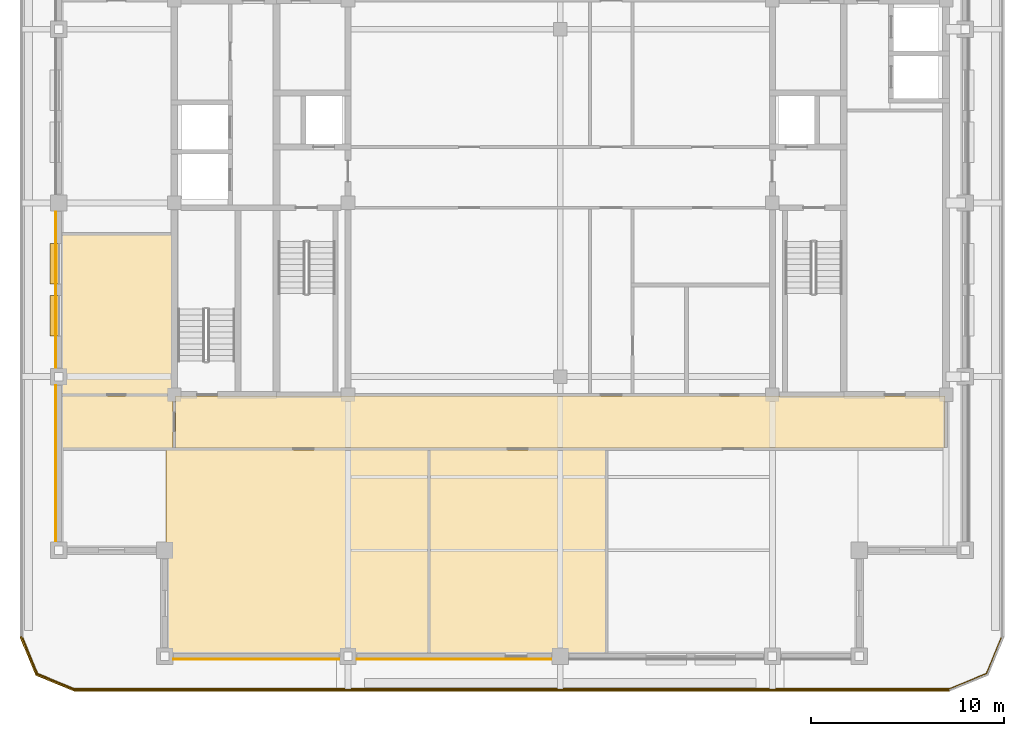
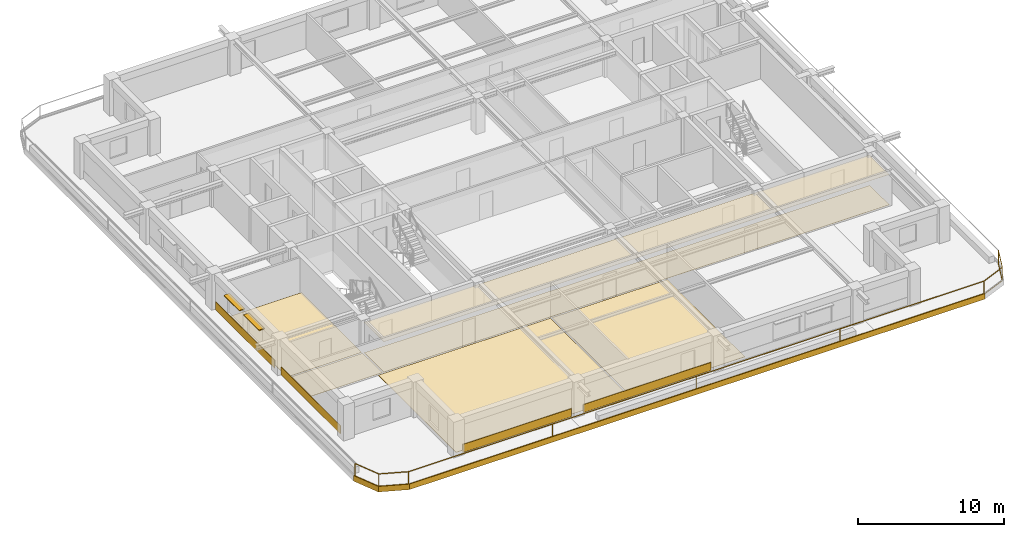
# One storey, part 7 of 11: 13 coverings, 2 shading devices, 1 railing.
"""IFC4 building model written with IfcOpenShell, lengths in metres."""

from ifc_helpers import new_model, si_unit, direction, frame, frame_2d, origin, origin_2d, place, context, subcontext, project, spatial, polyline, rectangle, outline, extrude, material, layer, layer_set, type_object, element, save


model = new_model("IFC4")

# Units and contexts
model_context = context("Model", 3, precision=1e-05, world=origin(), true_north=direction((0.0, 1.0)))
body_context = subcontext(model_context, "Body", "Model", "MODEL_VIEW")
ifc_project = project(units=[si_unit("LENGTHUNIT", "METRE"), si_unit("AREAUNIT", "SQUARE_METRE"), si_unit("VOLUMEUNIT", "CUBIC_METRE"), si_unit("PLANEANGLEUNIT", "RADIAN"), si_unit("MASSUNIT", "GRAM", prefix="KILO")], contexts=[model_context])

# Site, building, storey
site_placement = place(None, origin())
site = spatial("IfcSite", under=ifc_project, at=site_placement, CompositionType="ELEMENT")
building_placement = place(site_placement, origin())
building = spatial("IfcBuilding", under=site, at=building_placement, Name="Zulmaris Gate Convention Tower", CompositionType="ELEMENT")
storey_placement = place(building_placement, frame((0.0, 0.0, 264.119873046875)))
storey = spatial("IfcBuildingStorey", under=building, at=storey_placement, Name="L70", CompositionType="ELEMENT", Elevation=264.119873046875)

# Coverings
ifc_material_1 = material(Name="Precast concrete C40/50", Category="concrete")
ifc_layer_1 = layer(ifc_material_1, 0.0400390625, Name="Precast concrete C40/50")
ifc_layer_set_1 = layer_set([ifc_layer_1], Name="Precast concrete C40/50")
covering_type_1 = type_object("IfcCoveringType", Name="CLAD-SPANDREL-PRECAST", PredefinedType="CLADDING", material=ifc_layer_set_1)
covering_1_placement = place(storey_placement, frame((-20.044921875, -23.64990234375, 0.0), z_axis=(0.0, 0.0, 1.0), x_axis=(1.0, 0.0, 0.0)))
element("IfcCovering", 1, at=covering_1_placement, inside=storey, type_object=covering_type_1, Name="CLD-L70-S-0_0", PredefinedType="CLADDING", context=body_context, shape_type="SweptSolid", body=[
    extrude(rectangle(XDim=8.58984375, YDim=0.0400390625, at=frame_2d((4.294921875, 0.0))), origin(), (0.0, 0.0, 1.0), 0.679931640625),
])
covering_2_placement = place(storey_placement, frame((-10.544921875, -23.64990234375, 0.0), z_axis=(0.0, 0.0, 1.0), x_axis=(1.0, 0.0, 0.0)))
element("IfcCovering", 2, at=covering_2_placement, inside=storey, type_object=covering_type_1, Name="CLD-L70-S-1_0", PredefinedType="CLADDING", context=body_context, shape_type="SweptSolid", body=[
    extrude(rectangle(XDim=10.08984375, YDim=0.0400390625, at=frame_2d((5.044921875, 0.0))), origin(), (0.0, 0.0, 1.0), 0.679931640625),
])
for number, where, z_axis, x_axis, name in (
    (3, (-26.14990234375, -9.455078125, 0.0), (0.0, 0.0, 1.0), (0.0, -1.0, 0.0), "CLD-L70-W-0_0"),
    (4, (-26.14990234375, -0.455078125, 0.0), (0.0, 0.0, 1.0), (0.0, -1.0, 0.0), "CLD-L70-W-1_0"),
):
    element("IfcCovering", number, at=place(storey_placement, frame(where, z_axis=z_axis, x_axis=x_axis)), inside=storey, type_object=covering_type_1, Name=name, PredefinedType="CLADDING", context=body_context, shape_type="SweptSolid", body=[
        extrude(rectangle(XDim=8.08984375, YDim=0.0400390625, at=frame_2d((4.044921875, 0.0))), origin(), (0.0, 0.0, 1.0), 0.679931640625),
    ])
ifc_material_2 = material(Name="White Glazed Architectural Precast Concrete C40/50", Category="concrete")
ifc_layer_2 = layer(ifc_material_2, 0.080078125, Name="White Glazed Architectural Precast Concrete C40/50")
ifc_layer_set_2 = layer_set([ifc_layer_2], Name="White Glazed Architectural Precast Concrete C40/50")
covering_type_2 = type_object("IfcCoveringType", Name="CLAD-TRAY-FASCIA", PredefinedType="CLADDING", material=ifc_layer_set_2)
covering_3_placement = place(storey_placement, frame((-27.962890625, -22.484619140625, -0.2900390625), z_axis=(0.0, 0.0, 1.0), x_axis=(0.382656984709, -0.923890487046, 0.0)))
element("IfcCovering", 5, at=covering_3_placement, inside=storey, type_object=covering_type_2, Name="FSC-L70-TR-00", PredefinedType="CLADDING", context=body_context, shape_type="SweptSolid", body=[
    extrude(rectangle(XDim=2.14306640625, YDim=0.080078125, at=frame_2d((1.071533203125, 0.0))), origin(), (0.0, 0.0, 1.0), 0.4599609375),
])
covering_4_placement = place(storey_placement, frame((-27.16455078125, -24.44287109375, -0.2900390625), z_axis=(0.0, 0.0, 1.0), x_axis=(0.923873803533, -0.382697263049, 0.0)))
element("IfcCovering", 6, at=covering_4_placement, inside=storey, type_object=covering_type_2, Name="FSC-L70-TR-01", PredefinedType="CLADDING", context=body_context, shape_type="SweptSolid", body=[
    extrude(rectangle(XDim=2.142822265625, YDim=0.080078125, at=frame_2d((1.0712890625, 0.0))), origin(), (0.0, 0.0, 1.0), 0.4599609375),
])
covering_5_placement = place(storey_placement, frame((-25.199951171875, -25.260009765625, -0.2900390625), z_axis=(0.0, 0.0, 1.0), x_axis=(1.0, 0.0, 0.0)))
element("IfcCovering", 7, at=covering_5_placement, inside=storey, type_object=covering_type_2, Name="FSC-L70-TR-02", PredefinedType="CLADDING", context=body_context, shape_type="SweptSolid", body=[
    extrude(rectangle(XDim=45.39990234375, YDim=0.080078125, at=frame_2d((22.699951171875, 0.0))), origin(), (0.0, 0.0, 1.0), 0.4599609375),
])
ifc_material_3 = material(Name="Mineral Fibre Acoustic Ceiling Tile")
ifc_layer_3 = layer(ifc_material_3, 0.02001953125, Name="Mineral Fibre Acoustic Ceiling Tile")
ifc_layer_set_3 = layer_set([ifc_layer_3], Name="Mineral Fibre Acoustic Ceiling Tile")
covering_type_3 = type_object("IfcCoveringType", Name="CLG-ACOUSTIC-600", PredefinedType="CEILING", material=ifc_layer_set_3)
covering_6_placement = place(storey_placement, frame((0.0, 0.0, 2.538330078125)))
element("IfcCovering", 8, at=covering_6_placement, inside=storey, type_object=covering_type_3, Name="CLG-L70-R26", PredefinedType="CEILING", context=body_context, shape_type="SweptSolid", body=[
    extrude(outline(polyline([(-19.93994140625, -12.68994140625), (19.93994140625, -12.68994140625), (19.93994140625, -10.010009765625), (-19.93994140625, -10.010009765625), (-19.93994140625, -12.68994140625)])), origin(), (0.0, 0.0, 1.0), 0.019775390625),
])
ifc_material_4 = material(Name="Woven Acoustic Wool Carpet Tile")
ifc_layer_4 = layer(ifc_material_4, 0.02001953125, Name="Woven Acoustic Wool Carpet Tile")
ifc_layer_set_4 = layer_set([ifc_layer_4], Name="Woven Acoustic Wool Carpet Tile")
covering_type_4 = type_object("IfcCoveringType", Name="FLR-CARPET-12", PredefinedType="FLOORING", material=ifc_layer_set_4)
covering_7_placement = place(storey_placement, origin())
element("IfcCovering", 9, at=covering_7_placement, inside=storey, type_object=covering_type_4, Name="FLR-L70-R26", PredefinedType="FLOORING", context=body_context, shape_type="SweptSolid", body=[
    extrude(outline(polyline([(-19.93994140625, -12.68994140625), (19.93994140625, -12.68994140625), (19.93994140625, -10.010009765625), (-19.93994140625, -10.010009765625), (-19.93994140625, -12.68994140625)])), origin(), (0.0, 0.0, 1.0), 0.02001953125),
])
covering_8_placement = place(storey_placement, origin())
element("IfcCovering", 10, at=covering_8_placement, inside=storey, type_object=covering_type_4, Name="FLR-L70-R34", PredefinedType="FLOORING", context=body_context, shape_type="SweptSolid", body=[
    extrude(outline(polyline([(-6.739990234375, -23.43994140625), (2.340087890625, -23.43994140625), (2.340087890625, -12.81005859375), (-6.739990234375, -12.81005859375), (-6.739990234375, -23.43994140625)])), origin(), (0.0, 0.0, 1.0), 0.02001953125),
])
covering_9_placement = place(storey_placement, origin())
element("IfcCovering", 11, at=covering_9_placement, inside=storey, type_object=covering_type_4, Name="FLR-L70-R43", PredefinedType="FLOORING", context=body_context, shape_type="SweptSolid", body=[
    extrude(outline(polyline([(-25.93994140625, -12.68994140625), (-20.06005859375, -12.68994140625), (-20.06005859375, -10.010009765625), (-25.93994140625, -10.010009765625), (-25.93994140625, -12.68994140625)])), origin(), (0.0, 0.0, 1.0), 0.02001953125),
])
covering_10_placement = place(storey_placement, origin())
element("IfcCovering", 12, at=covering_10_placement, inside=storey, type_object=covering_type_4, Name="FLR-L70-R45", PredefinedType="FLOORING", context=body_context, shape_type="SweptSolid", body=[
    extrude(outline(polyline([(-25.93994140625, -9.889892578125), (-20.06005859375, -9.889892578125), (-20.06005859375, -1.659912109375), (-25.93994140625, -1.659912109375), (-25.93994140625, -9.889892578125)])), origin(), (0.0, 0.0, 1.0), 0.02001953125),
])
ifc_material_5 = material(Name="Engineered Teak Parquet Flooring")
ifc_layer_5 = layer(ifc_material_5, 0.02001953125, Name="Engineered Teak Parquet Flooring")
ifc_layer_set_5 = layer_set([ifc_layer_5], Name="Engineered Teak Parquet Flooring")
covering_type_5 = type_object("IfcCoveringType", Name="FLR-TIMBER-18", PredefinedType="FLOORING", material=ifc_layer_set_5)
covering_11_placement = place(storey_placement, origin())
element("IfcCovering", 13, at=covering_11_placement, inside=storey, type_object=covering_type_5, Name="FLR-L70-R33", PredefinedType="FLOORING", context=body_context, shape_type="SweptSolid", body=[
    extrude(outline(polyline([(-20.43994140625, -23.43994140625), (-6.860107421875, -23.43994140625), (-6.860107421875, -12.81005859375), (-20.43994140625, -12.81005859375), (-20.43994140625, -23.43994140625)])), origin(), (0.0, 0.0, 1.0), 0.02001953125),
])

# Railing
ifc_material_6 = material(Name="Laminated Glass and Stainless Steel", Category="steel")
railing_type = type_object("IfcRailingType", Name="RL-BALC-1150", PredefinedType="BALUSTRADE", material=ifc_material_6)
railing_placement = place(storey_placement, frame((-27.8798828125, -22.5, 0.010009765625)))
element("IfcRailing", 14, at=railing_placement, inside=storey, type_object=railing_type, Name="RL-L70-BALC-S", PredefinedType="BALUSTRADE", context=body_context, shape_type="SweptSolid", body=[
    extrude(rectangle(XDim=0.048095703125, YDim=0.048095703125, at=origin_2d()), frame((0.0, 0.0, 1.1259765625), z_axis=(0.382670664694, -0.92388482095, 0.0), x_axis=(0.92388482095, 0.382670664694, 0.0)), (0.0, 0.0, 1.0), 2.051025390625),
    extrude(rectangle(XDim=0.048095703125, YDim=0.048095703125, at=origin_2d()), frame((0.0, 0.0, 0.02392578125), z_axis=(0.382670664694, -0.92388482095, 0.0), x_axis=(0.92388482095, 0.382670664694, 0.0)), (0.0, 0.0, 1.0), 2.051025390625),
    extrude(rectangle(XDim=0.048095703125, YDim=0.048095703125, at=origin_2d()), frame((0.784912109375, -1.89501953125, 1.1259765625), z_axis=(0.92388482095, -0.382670664694, 0.0), x_axis=(0.382670664694, 0.92388482095, 0.0)), (0.0, 0.0, 1.0), 2.051025390625),
    extrude(rectangle(XDim=0.048095703125, YDim=0.048095703125, at=origin_2d()), frame((0.784912109375, -1.89501953125, 0.02392578125), z_axis=(0.92388482095, -0.382670664694, 0.0), x_axis=(0.382670664694, 0.92388482095, 0.0)), (0.0, 0.0, 1.0), 2.051025390625),
    extrude(rectangle(XDim=0.048095703125, YDim=0.048095703125, at=origin_2d()), frame((2.679931640625, -2.679931640625, 1.1259765625), z_axis=(1.0, 0.0, 0.0), x_axis=(0.0, 1.0, 0.0)), (0.0, 0.0, 1.0), 45.39990234375),
    extrude(rectangle(XDim=0.048095703125, YDim=0.048095703125, at=origin_2d()), frame((2.679931640625, -2.679931640625, 0.02392578125), z_axis=(1.0, 0.0, 0.0), x_axis=(0.0, 1.0, 0.0)), (0.0, 0.0, 1.0), 45.39990234375),
    extrude(rectangle(XDim=0.048095703125, YDim=0.048095703125, at=origin_2d()), frame((48.079833984375, -2.679931640625, 1.1259765625), z_axis=(0.92388482095, 0.382670664694, 0.0), x_axis=(-0.382670664694, 0.92388482095, 0.0)), (0.0, 0.0, 1.0), 2.051025390625),
    extrude(rectangle(XDim=0.048095703125, YDim=0.048095703125, at=origin_2d()), frame((48.079833984375, -2.679931640625, 0.02392578125), z_axis=(0.92388482095, 0.382670664694, 0.0), x_axis=(-0.382670664694, 0.92388482095, 0.0)), (0.0, 0.0, 1.0), 2.051025390625),
    extrude(rectangle(XDim=0.048095703125, YDim=0.048095703125, at=origin_2d()), frame((49.974853515625, -1.89501953125, 1.1259765625), z_axis=(0.382670664694, 0.92388482095, 0.0), x_axis=(-0.92388482095, 0.382670664694, 0.0)), (0.0, 0.0, 1.0), 2.051025390625),
    extrude(rectangle(XDim=0.048095703125, YDim=0.048095703125, at=origin_2d()), frame((49.974853515625, -1.89501953125, 0.02392578125), z_axis=(0.382670664694, 0.92388482095, 0.0), x_axis=(-0.92388482095, 0.382670664694, 0.0)), (0.0, 0.0, 1.0), 2.051025390625),
    extrude(rectangle(XDim=0.0419921875, YDim=0.0419921875, at=origin_2d()), origin(), (0.0, 0.0, 1.0), 1.101806640625),
    extrude(rectangle(XDim=0.0419921875, YDim=0.0419921875, at=origin_2d()), frame((0.784912109375, -1.89501953125, 0.0)), (0.0, 0.0, 1.0), 1.101806640625),
    extrude(rectangle(XDim=0.0419921875, YDim=0.0419921875, at=origin_2d()), frame((2.679931640625, -2.679931640625, 0.0)), (0.0, 0.0, 1.0), 1.101806640625),
    extrude(rectangle(XDim=0.0419921875, YDim=0.0419921875, at=origin_2d()), frame((14.02978515625, -2.679931640625, 0.0)), (0.0, 0.0, 1.0), 1.101806640625),
    extrude(rectangle(XDim=0.0419921875, YDim=0.0419921875, at=origin_2d()), frame((25.3798828125, -2.679931640625, 0.0)), (0.0, 0.0, 1.0), 1.101806640625),
    extrude(rectangle(XDim=0.0419921875, YDim=0.0419921875, at=origin_2d()), frame((36.72998046875, -2.679931640625, 0.0)), (0.0, 0.0, 1.0), 1.101806640625),
    extrude(rectangle(XDim=0.0419921875, YDim=0.0419921875, at=origin_2d()), frame((48.079833984375, -2.679931640625, 0.0)), (0.0, 0.0, 1.0), 1.101806640625),
    extrude(rectangle(XDim=0.0419921875, YDim=0.0419921875, at=origin_2d()), frame((49.974853515625, -1.89501953125, 0.0)), (0.0, 0.0, 1.0), 1.101806640625),
    extrude(rectangle(XDim=0.0419921875, YDim=0.0419921875, at=origin_2d()), frame((50.759765625, 0.0, 0.0)), (0.0, 0.0, 1.0), 1.101806640625),
])

# Shading devices
ifc_material_7 = material(Name="Glazed Ceramic Terracotta", Category="masonry")
ifc_layer_6 = layer(ifc_material_7, 0.070068359375, Name="Glazed Ceramic Terracotta")
ifc_layer_set_6 = layer_set([ifc_layer_6], Name="Glazed Ceramic Terracotta")
shading_device_type = type_object("IfcShadingDeviceType", Name="SHD-SUNSHADE-TC", PredefinedType="AWNING", material=ifc_layer_set_6)
for number, where, z_axis, x_axis, name in (
    (15, (-26.219970703125, -2.10205078125, 2.22998046875), (0.0, 0.0, 1.0), (0.0, -1.0, 0.0), "SHD-EW-L70-W-1_0-1"),
    (16, (-26.219970703125, -4.798095703125, 2.22998046875), (0.0, 0.0, 1.0), (0.0, -1.0, 0.0), "SHD-EW-L70-W-1_0-2"),
):
    element("IfcShadingDevice", number, at=place(storey_placement, frame(where, z_axis=z_axis, x_axis=x_axis)), inside=storey, type_object=shading_device_type, Name=name, PredefinedType="AWNING", context=body_context, shape_type="SweptSolid", body=[
        extrude(rectangle(XDim=2.099853515625, YDim=0.43994140625, at=frame_2d((1.0498046875, 0.0))), origin(), (0.0, 0.0, 1.0), 0.070068359375),
    ])

save(model, "model.ifc")
